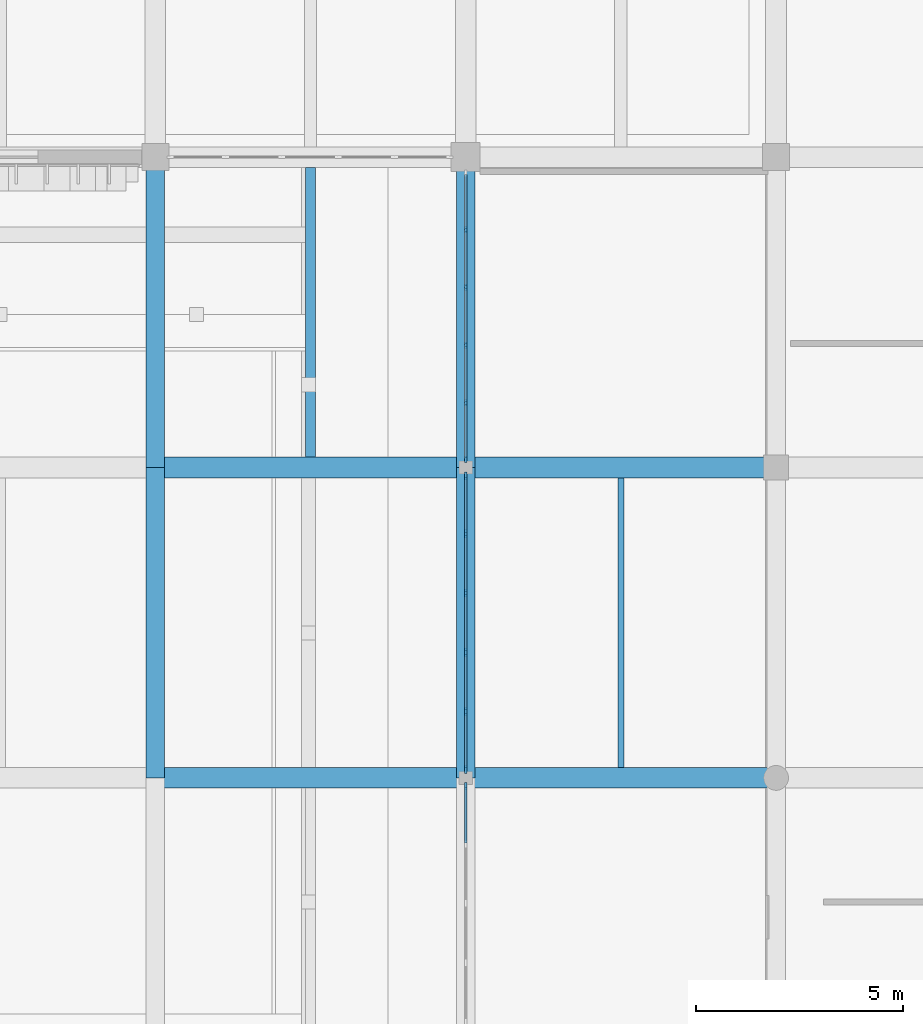
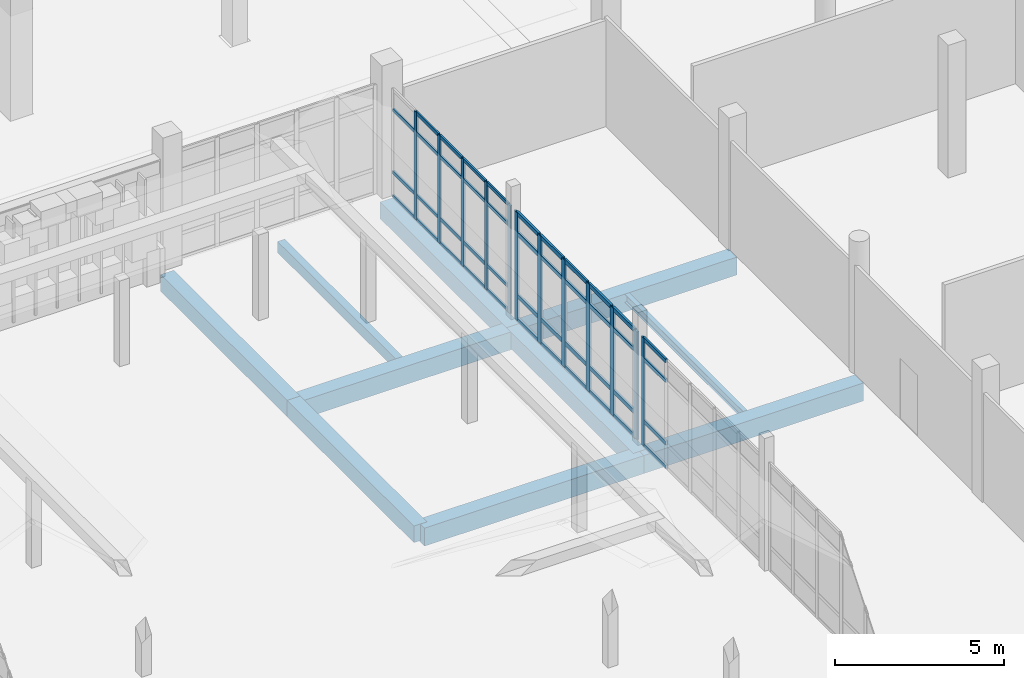
# One storey, part 61 of 125: 55 members, 10 beams, 3 elements without a shape of their own.
"""IFC4 building model written with IfcOpenShell, lengths in metres."""

from ifc_helpers import new_model, si_unit, direction, frame, origin, origin_2d, place, context, subcontext, project, spatial, rectangle, i_section, extrude, material, layer, layer_set, material_profile, profile_set, type_object, element, aggregate, save


model = new_model("IFC4")

# Units and contexts
model_context = context("Model", 3, precision=1e-05, world=origin(), true_north=direction((0.0, 1.0)))
body_context = subcontext(model_context, "Body", "Model", "MODEL_VIEW")
ifc_project = project(units=[si_unit("LENGTHUNIT", "METRE"), si_unit("AREAUNIT", "SQUARE_METRE"), si_unit("VOLUMEUNIT", "CUBIC_METRE"), si_unit("PLANEANGLEUNIT", "RADIAN"), si_unit("MASSUNIT", "GRAM", prefix="KILO")], contexts=[model_context])

# Site, building, storey
site_placement = place(None, origin())
site = spatial("IfcSite", under=ifc_project, at=site_placement, CompositionType="ELEMENT")
building_placement = place(site_placement, origin())
building = spatial("IfcBuilding", under=site, at=building_placement, Name="Dalvernix Boulevard General Hospital", CompositionType="ELEMENT")
storey_placement = place(building_placement, origin())
storey = spatial("IfcBuildingStorey", under=building, at=storey_placement, Name="L00", CompositionType="ELEMENT", Elevation=0.0)

# Beams
ifc_material_1 = material(Name="Concrete C35/45", Category="concrete")
ifc_material_profile_1 = material_profile(ifc_material_1, rectangle(XDim=0.5, YDim=0.64990234375, at=origin_2d()), Name="RCB 500x650")
ifc_profile_set_1 = profile_set([ifc_material_profile_1], Name="Concrete C35/45")
beam_type_1 = type_object("IfcBeamType", Name="BM-B-02-I", PredefinedType="BEAM", material=ifc_profile_set_1)
for number, where, z_axis, x_axis, name in (
    (1, (127.5, 61.5, -0.68505859375), (1.0, 0.0, 0.0), (0.0, 1.0, 0.0), "L00 E-W girder J:18-19"),
    (2, (135.0, 61.5, -0.68505859375), (1.0, 0.0, 0.0), (0.0, 1.0, 0.0), "L00 E-W girder J:19-20"),
    (3, (127.5, 69.0, -0.68505859375), (1.0, 0.0, 0.0), (0.0, 1.0, 0.0), "L00 E-W girder K:18-19"),
    (4, (135.0, 69.0, -0.68505859375), (1.0, 0.0, 0.0), (0.0, 1.0, 0.0), "L00 E-W girder K:19-20"),
):
    element("IfcBeam", number, at=place(storey_placement, frame(where, z_axis=z_axis, x_axis=x_axis)), inside=storey, type_object=beam_type_1, Name=name, PredefinedType="BEAM", context=body_context, shape_type="SweptSolid", body=[
        extrude(rectangle(XDim=0.5, YDim=0.64990234375, at=origin_2d()), origin(), (0.0, 0.0, 1.0), 7.5),
    ])
ifc_material_profile_2 = material_profile(ifc_material_1, rectangle(XDim=0.449951171875, YDim=0.60009765625, at=origin_2d()), Name="RCB 450x600")
ifc_profile_set_2 = profile_set([ifc_material_profile_2], Name="Concrete C35/45")
beam_type_2 = type_object("IfcBeamType", Name="BM-B-04-I", PredefinedType="BEAM", material=ifc_profile_set_2)
for number, where, z_axis, x_axis, name in (
    (5, (127.5, 61.5, -0.659912109375), (0.0, 1.0, 0.0), (-1.0, 0.0, 0.0), "L00 N-S girder 18:J-K"),
    (6, (127.5, 69.0, -0.659912109375), (0.0, 1.0, 0.0), (-1.0, 0.0, 0.0), "L00 N-S girder 18:K-L"),
    (7, (135.0, 61.5, -0.659912109375), (0.0, 1.0, 0.0), (-1.0, 0.0, 0.0), "L00 N-S girder 19:J-K"),
    (8, (135.0, 69.0, -0.659912109375), (0.0, 1.0, 0.0), (-1.0, 0.0, 0.0), "L00 N-S girder 19:K-L"),
):
    element("IfcBeam", number, at=place(storey_placement, frame(where, z_axis=z_axis, x_axis=x_axis)), inside=storey, type_object=beam_type_2, Name=name, PredefinedType="BEAM", context=body_context, shape_type="SweptSolid", body=[
        extrude(rectangle(XDim=0.449951171875, YDim=0.60009765625, at=origin_2d()), origin(), (0.0, 0.0, 1.0), 7.5),
    ])
ifc_material_profile_3 = material_profile(ifc_material_1, rectangle(XDim=0.25, YDim=0.39990234375, at=origin_2d()), Name="RCB 250x400")
ifc_profile_set_3 = profile_set([ifc_material_profile_3], Name="Concrete C35/45")
beam_type_3 = type_object("IfcBeamType", Name="BM-JB-02", PredefinedType="JOIST", material=ifc_profile_set_3)
beam_1_placement = place(storey_placement, frame((131.25, 69.25, -0.56005859375), z_axis=(0.0, 1.0, 0.0), x_axis=(-1.0, 0.0, 0.0)))
element("IfcBeam", 9, at=beam_1_placement, inside=storey, type_object=beam_type_3, Name="L00 secondary floor beam 18-K", PredefinedType="JOIST", context=body_context, shape_type="SweptSolid", body=[
    extrude(rectangle(XDim=0.25, YDim=0.39990234375, at=origin_2d()), origin(), (0.0, 0.0, 1.0), 7.0),
])
ifc_material_2 = material(Name="Steel S355", Category="steel")
ifc_material_profile_4 = material_profile(ifc_material_2, i_section(OverallWidth=0.14990234375, OverallDepth=0.300048828125, WebThickness=0.007080078125, FlangeThickness=0.0107421875, FilletRadius=0.014892578125, at=origin_2d()), Name="IPE 300")
ifc_profile_set_4 = profile_set([ifc_material_profile_4], Name="Steel S355")
beam_type_4 = type_object("IfcBeamType", Name="BM-JB-03", PredefinedType="JOIST", material=ifc_profile_set_4)
beam_2_placement = place(storey_placement, frame((138.75, 61.75, -0.510009765625), z_axis=(0.0, 1.0, 0.0), x_axis=(-1.0, 0.0, 0.0)))
element("IfcBeam", 10, at=beam_2_placement, inside=storey, type_object=beam_type_4, Name="L00 secondary floor beam 19-J", PredefinedType="JOIST", context=body_context, shape_type="SweptSolid", body=[
    extrude(i_section(OverallWidth=0.14990234375, OverallDepth=0.300048828125, WebThickness=0.007080078125, FlangeThickness=0.0107421875, FilletRadius=0.014892578125, at=origin_2d()), origin(), (0.0, 0.0, 1.0), 7.0),
])

# Curtain wall, members
ifc_material_3 = material(Name="Thermally broken aluminium and solar-control glass curtain wall", Category="aluminium")
ifc_layer_1 = layer(ifc_material_3, 0.159912109375)
ifc_layer_set_1 = layer_set([ifc_layer_1], Name="Thermally broken aluminium and solar-control glass curtain wall (CW-CW-A-70x39)")
curtain_wall_type_1 = type_object("IfcCurtainWallType", Name="CW-CW-A-70x39", PredefinedType="USERDEFINED", material=ifc_layer_set_1)
curtain_wall_1_placement = place(storey_placement, origin())
curtain_wall_1 = element("IfcCurtainWall", 11, at=curtain_wall_1_placement, inside=storey, type_object=curtain_wall_type_1, Name="L00 curtain wall CW-A-70x39 18-9", ObjectType="GLAZED FACADE", PredefinedType="USERDEFINED")
ifc_material_4 = material(Name="Aluminium EN AW-6060", Category="aluminium")
ifc_material_profile_5 = material_profile(ifc_material_4, rectangle(XDim=0.06005859375, YDim=0.159912109375, at=origin_2d()), Name="ALU MULL 60x160")
ifc_profile_set_5 = profile_set([ifc_material_profile_5], Name="Aluminium EN AW-6060")
member_type_1 = type_object("IfcMemberType", Name="MEM-CW-M1", PredefinedType="MULLION", material=ifc_profile_set_5)
member_1_placement = place(storey_placement, frame((135.0, 69.199951171875, 0.0), z_axis=(0.0, 0.0, 1.0), x_axis=(-1.0, 0.0, 0.0)))
member_1 = element("IfcMember", 12, at=member_1_placement, type_object=member_type_1, Name="CW-A-70x39 mullion 1", PredefinedType="MULLION", context=body_context, shape_type="SweptSolid", body=[
    extrude(rectangle(XDim=0.06005859375, YDim=0.159912109375, at=origin_2d()), origin(), (0.0, 0.0, 1.0), 3.89990234375),
])
member_2_placement = place(storey_placement, frame((135.0, 70.56396484375, 0.0), z_axis=(0.0, 0.0, 1.0), x_axis=(-1.0, 0.0, 0.0)))
member_2 = element("IfcMember", 13, at=member_2_placement, type_object=member_type_1, Name="CW-A-70x39 mullion 2", PredefinedType="MULLION", context=body_context, shape_type="SweptSolid", body=[
    extrude(rectangle(XDim=0.06005859375, YDim=0.159912109375, at=origin_2d()), origin(), (0.0, 0.0, 1.0), 3.89990234375),
])
member_3_placement = place(storey_placement, frame((135.0, 71.9580078125, 0.0), z_axis=(0.0, 0.0, 1.0), x_axis=(-1.0, 0.0, 0.0)))
member_3 = element("IfcMember", 14, at=member_3_placement, type_object=member_type_1, Name="CW-A-70x39 mullion 3", PredefinedType="MULLION", context=body_context, shape_type="SweptSolid", body=[
    extrude(rectangle(XDim=0.06005859375, YDim=0.159912109375, at=origin_2d()), origin(), (0.0, 0.0, 1.0), 3.89990234375),
])
member_4_placement = place(storey_placement, frame((135.0, 73.35205078125, 0.0), z_axis=(0.0, 0.0, 1.0), x_axis=(-1.0, 0.0, 0.0)))
member_4 = element("IfcMember", 15, at=member_4_placement, type_object=member_type_1, Name="CW-A-70x39 mullion 4", PredefinedType="MULLION", context=body_context, shape_type="SweptSolid", body=[
    extrude(rectangle(XDim=0.06005859375, YDim=0.159912109375, at=origin_2d()), origin(), (0.0, 0.0, 1.0), 3.89990234375),
])
member_5_placement = place(storey_placement, frame((135.0, 74.74609375, 0.0), z_axis=(0.0, 0.0, 1.0), x_axis=(-1.0, 0.0, 0.0)))
member_5 = element("IfcMember", 16, at=member_5_placement, type_object=member_type_1, Name="CW-A-70x39 mullion 5", PredefinedType="MULLION", context=body_context, shape_type="SweptSolid", body=[
    extrude(rectangle(XDim=0.06005859375, YDim=0.159912109375, at=origin_2d()), origin(), (0.0, 0.0, 1.0), 3.89990234375),
])

# Curtain wall, member
ifc_layer_2 = layer(ifc_material_3, 0.179931640625)
ifc_layer_set_2 = layer_set([ifc_layer_2], Name="Thermally broken aluminium and solar-control glass curtain wall (CW-CW-B-72x39)")
curtain_wall_type_2 = type_object("IfcCurtainWallType", Name="CW-CW-B-72x39", PredefinedType="USERDEFINED", material=ifc_layer_set_2)
curtain_wall_2_placement = place(storey_placement, origin())
curtain_wall_2 = element("IfcCurtainWall", 17, at=curtain_wall_2_placement, inside=storey, type_object=curtain_wall_type_2, Name="L00 curtain wall CW-B-72x39 18-7", ObjectType="GLAZED FACADE", PredefinedType="USERDEFINED")
ifc_material_profile_6 = material_profile(ifc_material_4, rectangle(XDim=0.06494140625, YDim=0.179931640625, at=origin_2d()), Name="ALU MULL 65x180")
ifc_profile_set_6 = profile_set([ifc_material_profile_6], Name="Aluminium EN AW-6060")
member_type_2 = type_object("IfcMemberType", Name="MEM-CW-M2", PredefinedType="MULLION", material=ifc_profile_set_6)
member_6_placement = place(storey_placement, frame((135.0, 61.297607421875, 0.0), z_axis=(0.0, 0.0, 1.0), x_axis=(-1.0, 0.0, 0.0)))
member_6 = element("IfcMember", 18, at=member_6_placement, type_object=member_type_2, Name="CW-B-72x39 mullion 6", PredefinedType="MULLION", context=body_context, shape_type="SweptSolid", body=[
    extrude(rectangle(XDim=0.06494140625, YDim=0.179931640625, at=origin_2d()), origin(), (0.0, 0.0, 1.0), 3.89990234375),
])

# Curtain wall, members
ifc_layer_3 = layer(ifc_material_3, 0.199951171875)
ifc_layer_set_3 = layer_set([ifc_layer_3], Name="Thermally broken aluminium and solar-control glass curtain wall (CW-CW-C-72x39)")
curtain_wall_type_3 = type_object("IfcCurtainWallType", Name="CW-CW-C-72x39", PredefinedType="USERDEFINED", material=ifc_layer_set_3)
curtain_wall_3_placement = place(storey_placement, origin())
curtain_wall_3 = element("IfcCurtainWall", 19, at=curtain_wall_3_placement, inside=storey, type_object=curtain_wall_type_3, Name="L00 curtain wall CW-C-72x39 18-8", ObjectType="GLAZED FACADE", PredefinedType="USERDEFINED")
ifc_material_profile_7 = material_profile(ifc_material_4, rectangle(XDim=0.070068359375, YDim=0.199951171875, at=origin_2d()), Name="ALU MULL 70x200")
ifc_profile_set_7 = profile_set([ifc_material_profile_7], Name="Aluminium EN AW-6060")
member_type_3 = type_object("IfcMemberType", Name="MEM-CW-M3", PredefinedType="MULLION", material=ifc_profile_set_7)
member_7_placement = place(storey_placement, frame((135.0, 61.705078125, 0.0), z_axis=(0.0, 0.0, 1.0), x_axis=(-1.0, 0.0, 0.0)))
member_7 = element("IfcMember", 20, at=member_7_placement, type_object=member_type_3, Name="CW-C-72x39 mullion 1", PredefinedType="MULLION", context=body_context, shape_type="SweptSolid", body=[
    extrude(rectangle(XDim=0.070068359375, YDim=0.199951171875, at=origin_2d()), origin(), (0.0, 0.0, 1.0), 3.89990234375),
])
member_8_placement = place(storey_placement, frame((135.0, 63.10205078125, 0.0), z_axis=(0.0, 0.0, 1.0), x_axis=(-1.0, 0.0, 0.0)))
member_8 = element("IfcMember", 21, at=member_8_placement, type_object=member_type_3, Name="CW-C-72x39 mullion 2", PredefinedType="MULLION", context=body_context, shape_type="SweptSolid", body=[
    extrude(rectangle(XDim=0.070068359375, YDim=0.199951171875, at=origin_2d()), origin(), (0.0, 0.0, 1.0), 3.89990234375),
])
member_9_placement = place(storey_placement, frame((135.0, 64.533935546875, 0.0), z_axis=(0.0, 0.0, 1.0), x_axis=(-1.0, 0.0, 0.0)))
member_9 = element("IfcMember", 22, at=member_9_placement, type_object=member_type_3, Name="CW-C-72x39 mullion 3", PredefinedType="MULLION", context=body_context, shape_type="SweptSolid", body=[
    extrude(rectangle(XDim=0.070068359375, YDim=0.199951171875, at=origin_2d()), origin(), (0.0, 0.0, 1.0), 3.89990234375),
])
member_10_placement = place(storey_placement, frame((135.0, 65.966064453125, 0.0), z_axis=(0.0, 0.0, 1.0), x_axis=(-1.0, 0.0, 0.0)))
member_10 = element("IfcMember", 23, at=member_10_placement, type_object=member_type_3, Name="CW-C-72x39 mullion 4", PredefinedType="MULLION", context=body_context, shape_type="SweptSolid", body=[
    extrude(rectangle(XDim=0.070068359375, YDim=0.199951171875, at=origin_2d()), origin(), (0.0, 0.0, 1.0), 3.89990234375),
])
member_11_placement = place(storey_placement, frame((135.0, 67.39794921875, 0.0), z_axis=(0.0, 0.0, 1.0), x_axis=(-1.0, 0.0, 0.0)))
member_11 = element("IfcMember", 24, at=member_11_placement, type_object=member_type_3, Name="CW-C-72x39 mullion 5", PredefinedType="MULLION", context=body_context, shape_type="SweptSolid", body=[
    extrude(rectangle(XDim=0.070068359375, YDim=0.199951171875, at=origin_2d()), origin(), (0.0, 0.0, 1.0), 3.89990234375),
])
member_12_placement = place(storey_placement, frame((135.0, 68.794921875, 0.0), z_axis=(0.0, 0.0, 1.0), x_axis=(-1.0, 0.0, 0.0)))
member_12 = element("IfcMember", 25, at=member_12_placement, type_object=member_type_3, Name="CW-C-72x39 mullion 6", PredefinedType="MULLION", context=body_context, shape_type="SweptSolid", body=[
    extrude(rectangle(XDim=0.070068359375, YDim=0.199951171875, at=origin_2d()), origin(), (0.0, 0.0, 1.0), 3.89990234375),
])

# Member
ifc_material_profile_8 = material_profile(ifc_material_4, rectangle(XDim=0.06005859375, YDim=0.1201171875, at=origin_2d()), Name="ALU TRAN 60x120")
ifc_profile_set_8 = profile_set([ifc_material_profile_8], Name="Aluminium EN AW-6060")
member_type_4 = type_object("IfcMemberType", Name="MEM-CW-T1", PredefinedType="USERDEFINED", material=ifc_profile_set_8)
member_13_placement = place(storey_placement, frame((135.0, 69.22998046875, 0.030029296875), z_axis=(0.0, 1.0, 0.0), x_axis=(-1.0, 0.0, 0.0)))
member_13 = element("IfcMember", 26, at=member_13_placement, type_object=member_type_4, Name="CW-A-70x39 transom 1.1", ObjectType="TRANSOM", PredefinedType="USERDEFINED", context=body_context, shape_type="SweptSolid", body=[
    extrude(rectangle(XDim=0.06005859375, YDim=0.1201171875, at=origin_2d()), origin(), (0.0, 0.0, 1.0), 1.303955078125),
])

member_14_placement = place(storey_placement, frame((135.0, 69.22998046875, 0.89990234375), z_axis=(0.0, 1.0, 0.0), x_axis=(-1.0, 0.0, 0.0)))
member_14 = element("IfcMember", 27, at=member_14_placement, type_object=member_type_4, Name="CW-A-70x39 transom 1.2", ObjectType="TRANSOM", PredefinedType="USERDEFINED", context=body_context, shape_type="SweptSolid", body=[
    extrude(rectangle(XDim=0.06005859375, YDim=0.1201171875, at=origin_2d()), origin(), (0.0, 0.0, 1.0), 1.303955078125),
])

member_15_placement = place(storey_placement, frame((135.0, 69.22998046875, 3.14990234375), z_axis=(0.0, 1.0, 0.0), x_axis=(-1.0, 0.0, 0.0)))
member_15 = element("IfcMember", 28, at=member_15_placement, type_object=member_type_4, Name="CW-A-70x39 transom 1.3", ObjectType="TRANSOM", PredefinedType="USERDEFINED", context=body_context, shape_type="SweptSolid", body=[
    extrude(rectangle(XDim=0.06005859375, YDim=0.1201171875, at=origin_2d()), origin(), (0.0, 0.0, 1.0), 1.303955078125),
])

member_16_placement = place(storey_placement, frame((135.0, 69.22998046875, 3.8701171875), z_axis=(0.0, 1.0, 0.0), x_axis=(-1.0, 0.0, 0.0)))
member_16 = element("IfcMember", 29, at=member_16_placement, type_object=member_type_4, Name="CW-A-70x39 transom 1.4", ObjectType="TRANSOM", PredefinedType="USERDEFINED", context=body_context, shape_type="SweptSolid", body=[
    extrude(rectangle(XDim=0.06005859375, YDim=0.1201171875, at=origin_2d()), origin(), (0.0, 0.0, 1.0), 1.303955078125),
])

member_17_placement = place(storey_placement, frame((135.0, 70.593994140625, 0.030029296875), z_axis=(0.0, 1.0, 0.0), x_axis=(-1.0, 0.0, 0.0)))
member_17 = element("IfcMember", 30, at=member_17_placement, type_object=member_type_4, Name="CW-A-70x39 transom 2.1", ObjectType="TRANSOM", PredefinedType="USERDEFINED", context=body_context, shape_type="SweptSolid", body=[
    extrude(rectangle(XDim=0.06005859375, YDim=0.1201171875, at=origin_2d()), origin(), (0.0, 0.0, 1.0), 1.333984375),
])

member_18_placement = place(storey_placement, frame((135.0, 70.593994140625, 0.89990234375), z_axis=(0.0, 1.0, 0.0), x_axis=(-1.0, 0.0, 0.0)))
member_18 = element("IfcMember", 31, at=member_18_placement, type_object=member_type_4, Name="CW-A-70x39 transom 2.2", ObjectType="TRANSOM", PredefinedType="USERDEFINED", context=body_context, shape_type="SweptSolid", body=[
    extrude(rectangle(XDim=0.06005859375, YDim=0.1201171875, at=origin_2d()), origin(), (0.0, 0.0, 1.0), 1.333984375),
])

member_19_placement = place(storey_placement, frame((135.0, 70.593994140625, 3.14990234375), z_axis=(0.0, 1.0, 0.0), x_axis=(-1.0, 0.0, 0.0)))
member_19 = element("IfcMember", 32, at=member_19_placement, type_object=member_type_4, Name="CW-A-70x39 transom 2.3", ObjectType="TRANSOM", PredefinedType="USERDEFINED", context=body_context, shape_type="SweptSolid", body=[
    extrude(rectangle(XDim=0.06005859375, YDim=0.1201171875, at=origin_2d()), origin(), (0.0, 0.0, 1.0), 1.333984375),
])

member_20_placement = place(storey_placement, frame((135.0, 70.593994140625, 3.8701171875), z_axis=(0.0, 1.0, 0.0), x_axis=(-1.0, 0.0, 0.0)))
member_20 = element("IfcMember", 33, at=member_20_placement, type_object=member_type_4, Name="CW-A-70x39 transom 2.4", ObjectType="TRANSOM", PredefinedType="USERDEFINED", context=body_context, shape_type="SweptSolid", body=[
    extrude(rectangle(XDim=0.06005859375, YDim=0.1201171875, at=origin_2d()), origin(), (0.0, 0.0, 1.0), 1.333984375),
])

member_21_placement = place(storey_placement, frame((135.0, 71.988037109375, 0.030029296875), z_axis=(0.0, 1.0, 0.0), x_axis=(-1.0, 0.0, 0.0)))
member_21 = element("IfcMember", 34, at=member_21_placement, type_object=member_type_4, Name="CW-A-70x39 transom 3.1", ObjectType="TRANSOM", PredefinedType="USERDEFINED", context=body_context, shape_type="SweptSolid", body=[
    extrude(rectangle(XDim=0.06005859375, YDim=0.1201171875, at=origin_2d()), origin(), (0.0, 0.0, 1.0), 1.333984375),
])

member_22_placement = place(storey_placement, frame((135.0, 71.988037109375, 0.89990234375), z_axis=(0.0, 1.0, 0.0), x_axis=(-1.0, 0.0, 0.0)))
member_22 = element("IfcMember", 35, at=member_22_placement, type_object=member_type_4, Name="CW-A-70x39 transom 3.2", ObjectType="TRANSOM", PredefinedType="USERDEFINED", context=body_context, shape_type="SweptSolid", body=[
    extrude(rectangle(XDim=0.06005859375, YDim=0.1201171875, at=origin_2d()), origin(), (0.0, 0.0, 1.0), 1.333984375),
])

member_23_placement = place(storey_placement, frame((135.0, 71.988037109375, 3.14990234375), z_axis=(0.0, 1.0, 0.0), x_axis=(-1.0, 0.0, 0.0)))
member_23 = element("IfcMember", 36, at=member_23_placement, type_object=member_type_4, Name="CW-A-70x39 transom 3.3", ObjectType="TRANSOM", PredefinedType="USERDEFINED", context=body_context, shape_type="SweptSolid", body=[
    extrude(rectangle(XDim=0.06005859375, YDim=0.1201171875, at=origin_2d()), origin(), (0.0, 0.0, 1.0), 1.333984375),
])

member_24_placement = place(storey_placement, frame((135.0, 71.988037109375, 3.8701171875), z_axis=(0.0, 1.0, 0.0), x_axis=(-1.0, 0.0, 0.0)))
member_24 = element("IfcMember", 37, at=member_24_placement, type_object=member_type_4, Name="CW-A-70x39 transom 3.4", ObjectType="TRANSOM", PredefinedType="USERDEFINED", context=body_context, shape_type="SweptSolid", body=[
    extrude(rectangle(XDim=0.06005859375, YDim=0.1201171875, at=origin_2d()), origin(), (0.0, 0.0, 1.0), 1.333984375),
])

member_25_placement = place(storey_placement, frame((135.0, 73.382080078125, 0.030029296875), z_axis=(0.0, 1.0, 0.0), x_axis=(-1.0, 0.0, 0.0)))
member_25 = element("IfcMember", 38, at=member_25_placement, type_object=member_type_4, Name="CW-A-70x39 transom 4.1", ObjectType="TRANSOM", PredefinedType="USERDEFINED", context=body_context, shape_type="SweptSolid", body=[
    extrude(rectangle(XDim=0.06005859375, YDim=0.1201171875, at=origin_2d()), origin(), (0.0, 0.0, 1.0), 1.333984375),
])

member_26_placement = place(storey_placement, frame((135.0, 73.382080078125, 0.89990234375), z_axis=(0.0, 1.0, 0.0), x_axis=(-1.0, 0.0, 0.0)))
member_26 = element("IfcMember", 39, at=member_26_placement, type_object=member_type_4, Name="CW-A-70x39 transom 4.2", ObjectType="TRANSOM", PredefinedType="USERDEFINED", context=body_context, shape_type="SweptSolid", body=[
    extrude(rectangle(XDim=0.06005859375, YDim=0.1201171875, at=origin_2d()), origin(), (0.0, 0.0, 1.0), 1.333984375),
])

member_27_placement = place(storey_placement, frame((135.0, 73.382080078125, 3.14990234375), z_axis=(0.0, 1.0, 0.0), x_axis=(-1.0, 0.0, 0.0)))
member_27 = element("IfcMember", 40, at=member_27_placement, type_object=member_type_4, Name="CW-A-70x39 transom 4.3", ObjectType="TRANSOM", PredefinedType="USERDEFINED", context=body_context, shape_type="SweptSolid", body=[
    extrude(rectangle(XDim=0.06005859375, YDim=0.1201171875, at=origin_2d()), origin(), (0.0, 0.0, 1.0), 1.333984375),
])

member_28_placement = place(storey_placement, frame((135.0, 73.382080078125, 3.8701171875), z_axis=(0.0, 1.0, 0.0), x_axis=(-1.0, 0.0, 0.0)))
member_28 = element("IfcMember", 41, at=member_28_placement, type_object=member_type_4, Name="CW-A-70x39 transom 4.4", ObjectType="TRANSOM", PredefinedType="USERDEFINED", context=body_context, shape_type="SweptSolid", body=[
    extrude(rectangle(XDim=0.06005859375, YDim=0.1201171875, at=origin_2d()), origin(), (0.0, 0.0, 1.0), 1.333984375),
])

member_29_placement = place(storey_placement, frame((135.0, 74.77587890625, 0.030029296875), z_axis=(0.0, 1.0, 0.0), x_axis=(-1.0, 0.0, 0.0)))
member_29 = element("IfcMember", 42, at=member_29_placement, type_object=member_type_4, Name="CW-A-70x39 transom 5.1", ObjectType="TRANSOM", PredefinedType="USERDEFINED", context=body_context, shape_type="SweptSolid", body=[
    extrude(rectangle(XDim=0.06005859375, YDim=0.1201171875, at=origin_2d()), origin(), (0.0, 0.0, 1.0), 1.30419921875),
])

member_30_placement = place(storey_placement, frame((135.0, 74.77587890625, 0.89990234375), z_axis=(0.0, 1.0, 0.0), x_axis=(-1.0, 0.0, 0.0)))
member_30 = element("IfcMember", 43, at=member_30_placement, type_object=member_type_4, Name="CW-A-70x39 transom 5.2", ObjectType="TRANSOM", PredefinedType="USERDEFINED", context=body_context, shape_type="SweptSolid", body=[
    extrude(rectangle(XDim=0.06005859375, YDim=0.1201171875, at=origin_2d()), origin(), (0.0, 0.0, 1.0), 1.30419921875),
])

member_31_placement = place(storey_placement, frame((135.0, 74.77587890625, 3.14990234375), z_axis=(0.0, 1.0, 0.0), x_axis=(-1.0, 0.0, 0.0)))
member_31 = element("IfcMember", 44, at=member_31_placement, type_object=member_type_4, Name="CW-A-70x39 transom 5.3", ObjectType="TRANSOM", PredefinedType="USERDEFINED", context=body_context, shape_type="SweptSolid", body=[
    extrude(rectangle(XDim=0.06005859375, YDim=0.1201171875, at=origin_2d()), origin(), (0.0, 0.0, 1.0), 1.30419921875),
])

aggregate(curtain_wall_1, [member_1, member_2, member_3, member_4, member_5, member_13, member_14, member_15, member_16, member_17, member_18, member_19, member_20, member_21, member_22, member_23, member_24, member_25, member_26, member_27, member_28, member_29, member_30, member_31])

ifc_material_profile_9 = material_profile(ifc_material_4, rectangle(XDim=0.06494140625, YDim=0.139892578125, at=origin_2d()), Name="ALU TRAN 65x140")
ifc_profile_set_9 = profile_set([ifc_material_profile_9], Name="Aluminium EN AW-6060")
member_type_5 = type_object("IfcMemberType", Name="MEM-CW-T2", PredefinedType="USERDEFINED", material=ifc_profile_set_9)
member_32_placement = place(storey_placement, frame((135.0, 59.930419921875, 0.032470703125), z_axis=(0.0, 1.0, 0.0), x_axis=(-1.0, 0.0, 0.0)))
member_32 = element("IfcMember", 45, at=member_32_placement, type_object=member_type_5, Name="CW-B-72x39 transom 5.1", ObjectType="TRANSOM", PredefinedType="USERDEFINED", context=body_context, shape_type="SweptSolid", body=[
    extrude(rectangle(XDim=0.06494140625, YDim=0.139892578125, at=origin_2d()), origin(), (0.0, 0.0, 1.0), 1.33447265625),
])

member_33_placement = place(storey_placement, frame((135.0, 59.930419921875, 0.89990234375), z_axis=(0.0, 1.0, 0.0), x_axis=(-1.0, 0.0, 0.0)))
member_33 = element("IfcMember", 46, at=member_33_placement, type_object=member_type_5, Name="CW-B-72x39 transom 5.2", ObjectType="TRANSOM", PredefinedType="USERDEFINED", context=body_context, shape_type="SweptSolid", body=[
    extrude(rectangle(XDim=0.06494140625, YDim=0.139892578125, at=origin_2d()), origin(), (0.0, 0.0, 1.0), 1.33447265625),
])

member_34_placement = place(storey_placement, frame((135.0, 59.930419921875, 3.14990234375), z_axis=(0.0, 1.0, 0.0), x_axis=(-1.0, 0.0, 0.0)))
member_34 = element("IfcMember", 47, at=member_34_placement, type_object=member_type_5, Name="CW-B-72x39 transom 5.3", ObjectType="TRANSOM", PredefinedType="USERDEFINED", context=body_context, shape_type="SweptSolid", body=[
    extrude(rectangle(XDim=0.06494140625, YDim=0.139892578125, at=origin_2d()), origin(), (0.0, 0.0, 1.0), 1.33447265625),
])

member_35_placement = place(storey_placement, frame((135.0, 59.930419921875, 3.867431640625), z_axis=(0.0, 1.0, 0.0), x_axis=(-1.0, 0.0, 0.0)))
member_35 = element("IfcMember", 48, at=member_35_placement, type_object=member_type_5, Name="CW-B-72x39 transom 5.4", ObjectType="TRANSOM", PredefinedType="USERDEFINED", context=body_context, shape_type="SweptSolid", body=[
    extrude(rectangle(XDim=0.06494140625, YDim=0.139892578125, at=origin_2d()), origin(), (0.0, 0.0, 1.0), 1.33447265625),
])

aggregate(curtain_wall_2, [member_6, member_32, member_33, member_34, member_35])

ifc_material_profile_10 = material_profile(ifc_material_4, rectangle(XDim=0.070068359375, YDim=0.14990234375, at=origin_2d()), Name="ALU TRAN 70x150")
ifc_profile_set_10 = profile_set([ifc_material_profile_10], Name="Aluminium EN AW-6060")
member_type_6 = type_object("IfcMemberType", Name="MEM-CW-T3", PredefinedType="USERDEFINED", material=ifc_profile_set_10)
member_36_placement = place(storey_placement, frame((135.0, 61.739990234375, 0.034912109375), z_axis=(0.0, 1.0, 0.0), x_axis=(-1.0, 0.0, 0.0)))
member_36 = element("IfcMember", 49, at=member_36_placement, type_object=member_type_6, Name="CW-C-72x39 transom 1.1", ObjectType="TRANSOM", PredefinedType="USERDEFINED", context=body_context, shape_type="SweptSolid", body=[
    extrude(rectangle(XDim=0.070068359375, YDim=0.14990234375, at=origin_2d()), origin(), (0.0, 0.0, 1.0), 1.326904296875),
])

member_37_placement = place(storey_placement, frame((135.0, 61.739990234375, 0.89990234375), z_axis=(0.0, 1.0, 0.0), x_axis=(-1.0, 0.0, 0.0)))
member_37 = element("IfcMember", 50, at=member_37_placement, type_object=member_type_6, Name="CW-C-72x39 transom 1.2", ObjectType="TRANSOM", PredefinedType="USERDEFINED", context=body_context, shape_type="SweptSolid", body=[
    extrude(rectangle(XDim=0.070068359375, YDim=0.14990234375, at=origin_2d()), origin(), (0.0, 0.0, 1.0), 1.326904296875),
])

member_38_placement = place(storey_placement, frame((135.0, 61.739990234375, 3.14990234375), z_axis=(0.0, 1.0, 0.0), x_axis=(-1.0, 0.0, 0.0)))
member_38 = element("IfcMember", 51, at=member_38_placement, type_object=member_type_6, Name="CW-C-72x39 transom 1.3", ObjectType="TRANSOM", PredefinedType="USERDEFINED", context=body_context, shape_type="SweptSolid", body=[
    extrude(rectangle(XDim=0.070068359375, YDim=0.14990234375, at=origin_2d()), origin(), (0.0, 0.0, 1.0), 1.326904296875),
])

member_39_placement = place(storey_placement, frame((135.0, 61.739990234375, 3.864990234375), z_axis=(0.0, 1.0, 0.0), x_axis=(-1.0, 0.0, 0.0)))
member_39 = element("IfcMember", 52, at=member_39_placement, type_object=member_type_6, Name="CW-C-72x39 transom 1.4", ObjectType="TRANSOM", PredefinedType="USERDEFINED", context=body_context, shape_type="SweptSolid", body=[
    extrude(rectangle(XDim=0.070068359375, YDim=0.14990234375, at=origin_2d()), origin(), (0.0, 0.0, 1.0), 1.326904296875),
])

member_40_placement = place(storey_placement, frame((135.0, 63.136962890625, 0.034912109375), z_axis=(0.0, 1.0, 0.0), x_axis=(-1.0, 0.0, 0.0)))
member_40 = element("IfcMember", 53, at=member_40_placement, type_object=member_type_6, Name="CW-C-72x39 transom 2.1", ObjectType="TRANSOM", PredefinedType="USERDEFINED", context=body_context, shape_type="SweptSolid", body=[
    extrude(rectangle(XDim=0.070068359375, YDim=0.14990234375, at=origin_2d()), origin(), (0.0, 0.0, 1.0), 1.362060546875),
])

member_41_placement = place(storey_placement, frame((135.0, 63.136962890625, 0.89990234375), z_axis=(0.0, 1.0, 0.0), x_axis=(-1.0, 0.0, 0.0)))
member_41 = element("IfcMember", 54, at=member_41_placement, type_object=member_type_6, Name="CW-C-72x39 transom 2.2", ObjectType="TRANSOM", PredefinedType="USERDEFINED", context=body_context, shape_type="SweptSolid", body=[
    extrude(rectangle(XDim=0.070068359375, YDim=0.14990234375, at=origin_2d()), origin(), (0.0, 0.0, 1.0), 1.362060546875),
])

member_42_placement = place(storey_placement, frame((135.0, 63.136962890625, 3.14990234375), z_axis=(0.0, 1.0, 0.0), x_axis=(-1.0, 0.0, 0.0)))
member_42 = element("IfcMember", 55, at=member_42_placement, type_object=member_type_6, Name="CW-C-72x39 transom 2.3", ObjectType="TRANSOM", PredefinedType="USERDEFINED", context=body_context, shape_type="SweptSolid", body=[
    extrude(rectangle(XDim=0.070068359375, YDim=0.14990234375, at=origin_2d()), origin(), (0.0, 0.0, 1.0), 1.362060546875),
])

member_43_placement = place(storey_placement, frame((135.0, 63.136962890625, 3.864990234375), z_axis=(0.0, 1.0, 0.0), x_axis=(-1.0, 0.0, 0.0)))
member_43 = element("IfcMember", 56, at=member_43_placement, type_object=member_type_6, Name="CW-C-72x39 transom 2.4", ObjectType="TRANSOM", PredefinedType="USERDEFINED", context=body_context, shape_type="SweptSolid", body=[
    extrude(rectangle(XDim=0.070068359375, YDim=0.14990234375, at=origin_2d()), origin(), (0.0, 0.0, 1.0), 1.362060546875),
])

member_44_placement = place(storey_placement, frame((135.0, 64.569091796875, 0.034912109375), z_axis=(0.0, 1.0, 0.0), x_axis=(-1.0, 0.0, 0.0)))
member_44 = element("IfcMember", 57, at=member_44_placement, type_object=member_type_6, Name="CW-C-72x39 transom 3.1", ObjectType="TRANSOM", PredefinedType="USERDEFINED", context=body_context, shape_type="SweptSolid", body=[
    extrude(rectangle(XDim=0.070068359375, YDim=0.14990234375, at=origin_2d()), origin(), (0.0, 0.0, 1.0), 1.36181640625),
])

member_45_placement = place(storey_placement, frame((135.0, 64.569091796875, 0.89990234375), z_axis=(0.0, 1.0, 0.0), x_axis=(-1.0, 0.0, 0.0)))
member_45 = element("IfcMember", 58, at=member_45_placement, type_object=member_type_6, Name="CW-C-72x39 transom 3.2", ObjectType="TRANSOM", PredefinedType="USERDEFINED", context=body_context, shape_type="SweptSolid", body=[
    extrude(rectangle(XDim=0.070068359375, YDim=0.14990234375, at=origin_2d()), origin(), (0.0, 0.0, 1.0), 1.36181640625),
])

member_46_placement = place(storey_placement, frame((135.0, 64.569091796875, 3.14990234375), z_axis=(0.0, 1.0, 0.0), x_axis=(-1.0, 0.0, 0.0)))
member_46 = element("IfcMember", 59, at=member_46_placement, type_object=member_type_6, Name="CW-C-72x39 transom 3.3", ObjectType="TRANSOM", PredefinedType="USERDEFINED", context=body_context, shape_type="SweptSolid", body=[
    extrude(rectangle(XDim=0.070068359375, YDim=0.14990234375, at=origin_2d()), origin(), (0.0, 0.0, 1.0), 1.36181640625),
])

member_47_placement = place(storey_placement, frame((135.0, 64.569091796875, 3.864990234375), z_axis=(0.0, 1.0, 0.0), x_axis=(-1.0, 0.0, 0.0)))
member_47 = element("IfcMember", 60, at=member_47_placement, type_object=member_type_6, Name="CW-C-72x39 transom 3.4", ObjectType="TRANSOM", PredefinedType="USERDEFINED", context=body_context, shape_type="SweptSolid", body=[
    extrude(rectangle(XDim=0.070068359375, YDim=0.14990234375, at=origin_2d()), origin(), (0.0, 0.0, 1.0), 1.36181640625),
])

member_48_placement = place(storey_placement, frame((135.0, 66.0009765625, 0.034912109375), z_axis=(0.0, 1.0, 0.0), x_axis=(-1.0, 0.0, 0.0)))
member_48 = element("IfcMember", 61, at=member_48_placement, type_object=member_type_6, Name="CW-C-72x39 transom 4.1", ObjectType="TRANSOM", PredefinedType="USERDEFINED", context=body_context, shape_type="SweptSolid", body=[
    extrude(rectangle(XDim=0.070068359375, YDim=0.14990234375, at=origin_2d()), origin(), (0.0, 0.0, 1.0), 1.362060546875),
])

member_49_placement = place(storey_placement, frame((135.0, 66.0009765625, 0.89990234375), z_axis=(0.0, 1.0, 0.0), x_axis=(-1.0, 0.0, 0.0)))
member_49 = element("IfcMember", 62, at=member_49_placement, type_object=member_type_6, Name="CW-C-72x39 transom 4.2", ObjectType="TRANSOM", PredefinedType="USERDEFINED", context=body_context, shape_type="SweptSolid", body=[
    extrude(rectangle(XDim=0.070068359375, YDim=0.14990234375, at=origin_2d()), origin(), (0.0, 0.0, 1.0), 1.362060546875),
])

member_50_placement = place(storey_placement, frame((135.0, 66.0009765625, 3.14990234375), z_axis=(0.0, 1.0, 0.0), x_axis=(-1.0, 0.0, 0.0)))
member_50 = element("IfcMember", 63, at=member_50_placement, type_object=member_type_6, Name="CW-C-72x39 transom 4.3", ObjectType="TRANSOM", PredefinedType="USERDEFINED", context=body_context, shape_type="SweptSolid", body=[
    extrude(rectangle(XDim=0.070068359375, YDim=0.14990234375, at=origin_2d()), origin(), (0.0, 0.0, 1.0), 1.362060546875),
])

member_51_placement = place(storey_placement, frame((135.0, 66.0009765625, 3.864990234375), z_axis=(0.0, 1.0, 0.0), x_axis=(-1.0, 0.0, 0.0)))
member_51 = element("IfcMember", 64, at=member_51_placement, type_object=member_type_6, Name="CW-C-72x39 transom 4.4", ObjectType="TRANSOM", PredefinedType="USERDEFINED", context=body_context, shape_type="SweptSolid", body=[
    extrude(rectangle(XDim=0.070068359375, YDim=0.14990234375, at=origin_2d()), origin(), (0.0, 0.0, 1.0), 1.362060546875),
])

member_52_placement = place(storey_placement, frame((135.0, 67.43310546875, 0.034912109375), z_axis=(0.0, 1.0, 0.0), x_axis=(-1.0, 0.0, 0.0)))
member_52 = element("IfcMember", 65, at=member_52_placement, type_object=member_type_6, Name="CW-C-72x39 transom 5.1", ObjectType="TRANSOM", PredefinedType="USERDEFINED", context=body_context, shape_type="SweptSolid", body=[
    extrude(rectangle(XDim=0.070068359375, YDim=0.14990234375, at=origin_2d()), origin(), (0.0, 0.0, 1.0), 1.326904296875),
])

member_53_placement = place(storey_placement, frame((135.0, 67.43310546875, 0.89990234375), z_axis=(0.0, 1.0, 0.0), x_axis=(-1.0, 0.0, 0.0)))
member_53 = element("IfcMember", 66, at=member_53_placement, type_object=member_type_6, Name="CW-C-72x39 transom 5.2", ObjectType="TRANSOM", PredefinedType="USERDEFINED", context=body_context, shape_type="SweptSolid", body=[
    extrude(rectangle(XDim=0.070068359375, YDim=0.14990234375, at=origin_2d()), origin(), (0.0, 0.0, 1.0), 1.326904296875),
])

member_54_placement = place(storey_placement, frame((135.0, 67.43310546875, 3.14990234375), z_axis=(0.0, 1.0, 0.0), x_axis=(-1.0, 0.0, 0.0)))
member_54 = element("IfcMember", 67, at=member_54_placement, type_object=member_type_6, Name="CW-C-72x39 transom 5.3", ObjectType="TRANSOM", PredefinedType="USERDEFINED", context=body_context, shape_type="SweptSolid", body=[
    extrude(rectangle(XDim=0.070068359375, YDim=0.14990234375, at=origin_2d()), origin(), (0.0, 0.0, 1.0), 1.326904296875),
])

member_55_placement = place(storey_placement, frame((135.0, 67.43310546875, 3.864990234375), z_axis=(0.0, 1.0, 0.0), x_axis=(-1.0, 0.0, 0.0)))
member_55 = element("IfcMember", 68, at=member_55_placement, type_object=member_type_6, Name="CW-C-72x39 transom 5.4", ObjectType="TRANSOM", PredefinedType="USERDEFINED", context=body_context, shape_type="SweptSolid", body=[
    extrude(rectangle(XDim=0.070068359375, YDim=0.14990234375, at=origin_2d()), origin(), (0.0, 0.0, 1.0), 1.326904296875),
])

aggregate(curtain_wall_3, [member_7, member_8, member_9, member_10, member_11, member_12, member_36, member_37, member_38, member_39, member_40, member_41, member_42, member_43, member_44, member_45, member_46, member_47, member_48, member_49, member_50, member_51, member_52, member_53, member_54, member_55])

save(model, "model.ifc")
